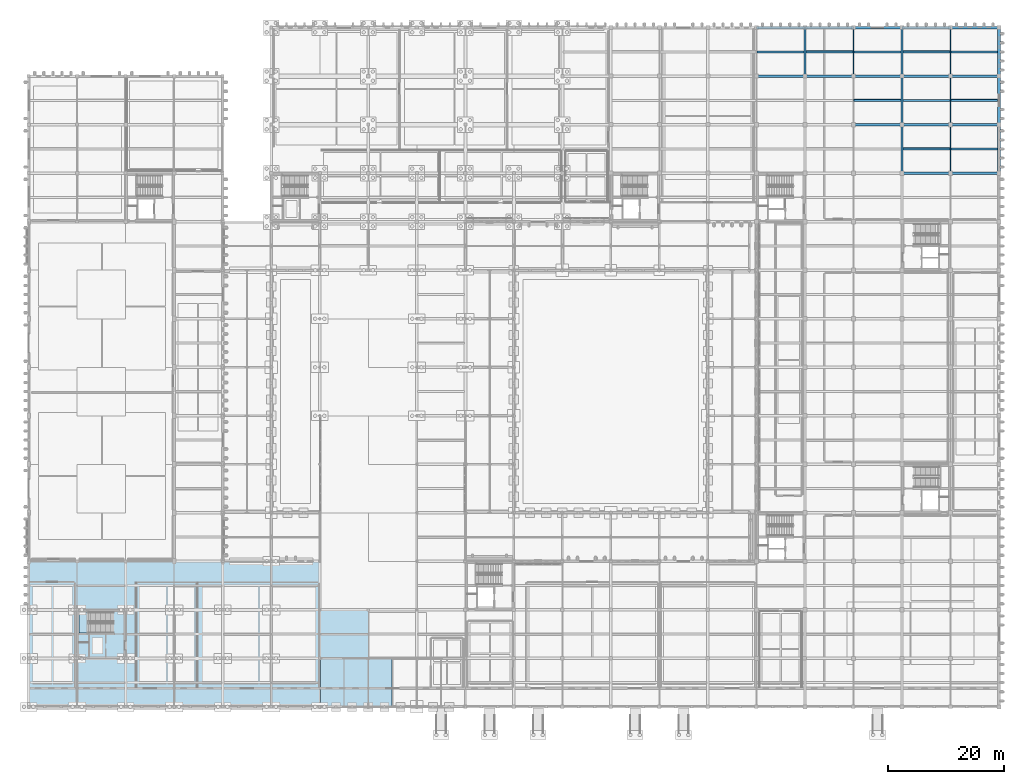
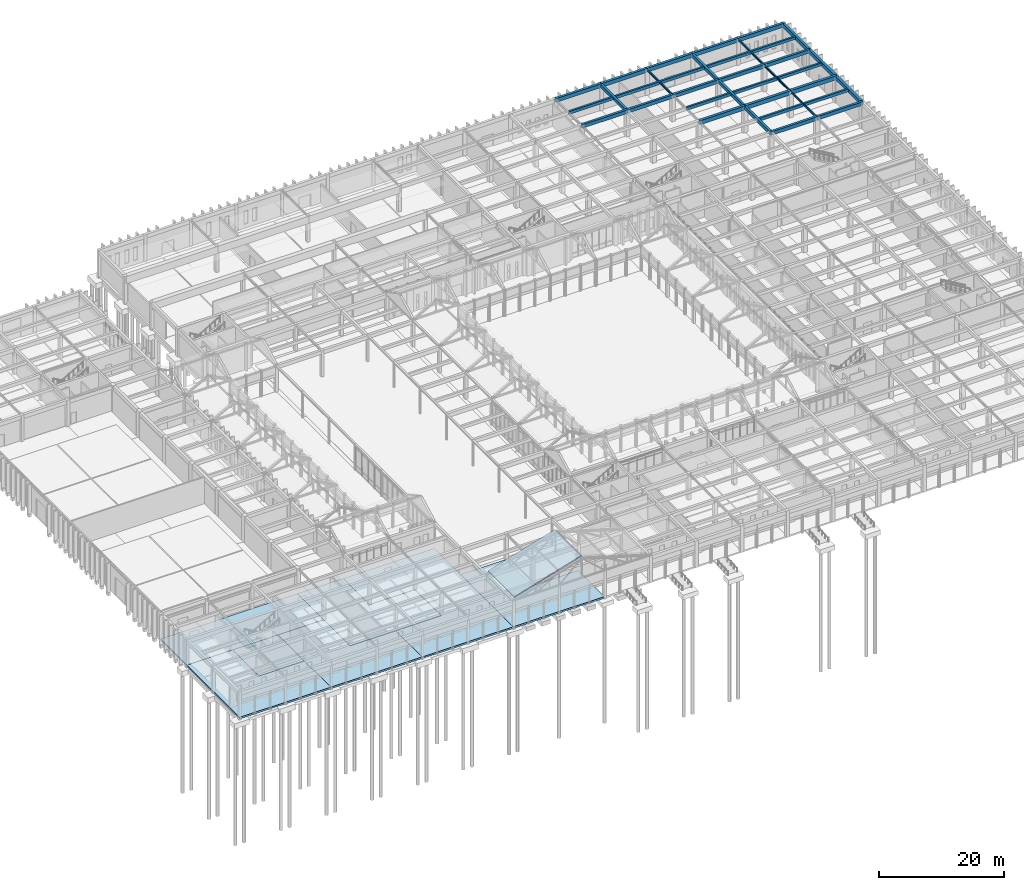
# One storey, part 70 of 143: 36 beams, 9 slabs, 1 element without a shape of its own.
"""IFC4 building model written with IfcOpenShell, lengths in metres."""

from ifc_helpers import new_model, si_unit, direction, frame, origin, origin_2d, place, context, subcontext, project, spatial, polyline, rectangle, i_section, outline, extrude, material, layer, layer_set, material_profile, profile_set, type_object, element, aggregate, save


model = new_model("IFC4")

# Units and contexts
model_context = context("Model", 3, precision=1e-05, world=origin(), true_north=direction((0.0, 1.0)))
body_context = subcontext(model_context, "Body", "Model", "MODEL_VIEW")
ifc_project = project(units=[si_unit("LENGTHUNIT", "METRE"), si_unit("AREAUNIT", "SQUARE_METRE"), si_unit("VOLUMEUNIT", "CUBIC_METRE"), si_unit("PLANEANGLEUNIT", "RADIAN"), si_unit("MASSUNIT", "GRAM", prefix="KILO")], contexts=[model_context])

# Site, building, storey
site_placement = place(None, origin())
site = spatial("IfcSite", under=ifc_project, at=site_placement, CompositionType="ELEMENT")
building_placement = place(site_placement, origin())
building = spatial("IfcBuilding", under=site, at=building_placement, Name="Kveldsbrygga Polytechnic", CompositionType="ELEMENT")
storey_placement = place(building_placement, origin())
storey = spatial("IfcBuildingStorey", under=building, at=storey_placement, Name="L00", CompositionType="ELEMENT", Elevation=0.0)

# Beams
ifc_material_1 = material(Name="Concrete C35/45", Category="concrete")
ifc_material_profile_1 = material_profile(ifc_material_1, rectangle(XDim=0.39990234375, YDim=0.64990234375, at=origin_2d()), Name="RC 400x650")
ifc_profile_set_1 = profile_set([ifc_material_profile_1], Name="Concrete C35/45")
beam_type_1 = type_object("IfcBeamType", Name="BM-RC-400x650", PredefinedType="BEAM", material=ifc_profile_set_1)
for number, where, z_axis, x_axis, name in (
    (1, (134.39990234375, 109.199951171875, 4.81494140625), (0.0, 1.0, 0.0), (-1.0, 0.0, 0.0), "Primary Beam BMY-L00-16-13to14"),
    (2, (151.199951171875, 92.39990234375, 4.81494140625), (0.0, 1.0, 0.0), (-1.0, 0.0, 0.0), "Primary Beam BMY-L00-18-11to12"),
):
    element("IfcBeam", number, at=place(storey_placement, frame(where, z_axis=z_axis, x_axis=x_axis)), inside=storey, type_object=beam_type_1, Name=name, PredefinedType="BEAM", context=body_context, shape_type="SweptSolid", body=[
        extrude(rectangle(XDim=0.39990234375, YDim=0.64990234375, at=origin_2d()), origin(), (0.0, 0.0, 1.0), 8.400146484375),
    ])
beam_1_placement = place(storey_placement, frame((151.199951171875, 100.800048828125, 4.81494140625), z_axis=(0.0, 1.0, 0.0), x_axis=(-1.0, 0.0, 0.0)))
element("IfcBeam", 3, at=beam_1_placement, inside=storey, type_object=beam_type_1, Name="Primary Beam BMY-L00-18-12to13", PredefinedType="BEAM", context=body_context, shape_type="SweptSolid", body=[
    extrude(rectangle(XDim=0.39990234375, YDim=0.64990234375, at=origin_2d()), origin(), (0.0, 0.0, 1.0), 8.39990234375),
])
beam_2_placement = place(storey_placement, frame((151.199951171875, 109.199951171875, 4.81494140625), z_axis=(0.0, 1.0, 0.0), x_axis=(-1.0, 0.0, 0.0)))
element("IfcBeam", 4, at=beam_2_placement, inside=storey, type_object=beam_type_1, Name="Primary Beam BMY-L00-18-13to14", PredefinedType="BEAM", context=body_context, shape_type="SweptSolid", body=[
    extrude(rectangle(XDim=0.39990234375, YDim=0.64990234375, at=origin_2d()), origin(), (0.0, 0.0, 1.0), 8.400146484375),
])
ifc_material_profile_2 = material_profile(ifc_material_1, rectangle(XDim=0.419921875, YDim=0.679931640625, at=origin_2d()), Name="RC 420x680")
ifc_profile_set_2 = profile_set([ifc_material_profile_2], Name="Concrete C35/45")
beam_type_2 = type_object("IfcBeamType", Name="BM-RC-420x680", PredefinedType="BEAM", material=ifc_profile_set_2)
beam_3_placement = place(storey_placement, frame((151.199951171875, 92.39990234375, 4.800048828125), z_axis=(1.0, 0.0, 0.0), x_axis=(0.0, 1.0, 0.0)))
element("IfcBeam", 5, at=beam_3_placement, inside=storey, type_object=beam_type_2, Name="Primary Beam BMX-L00-18to19-11", PredefinedType="BEAM", context=body_context, shape_type="SweptSolid", body=[
    extrude(rectangle(XDim=0.419921875, YDim=0.679931640625, at=origin_2d()), origin(), (0.0, 0.0, 1.0), 8.400146484375),
])
for number, where, z_axis, x_axis, name in (
    (6, (159.60009765625, 92.39990234375, 4.800048828125), (1.0, 0.0, 0.0), (0.0, 1.0, 0.0), "Primary Beam BMX-L00-19to20-11"),
    (7, (126.0, 109.199951171875, 4.800048828125), (1.0, 0.0, 0.0), (0.0, 1.0, 0.0), "Primary Beam BMX-L00-15to16-13"),
):
    element("IfcBeam", number, at=place(storey_placement, frame(where, z_axis=z_axis, x_axis=x_axis)), inside=storey, type_object=beam_type_2, Name=name, PredefinedType="BEAM", context=body_context, shape_type="SweptSolid", body=[
        extrude(rectangle(XDim=0.419921875, YDim=0.679931640625, at=origin_2d()), origin(), (0.0, 0.0, 1.0), 8.39990234375),
    ])
beam_4_placement = place(storey_placement, frame((134.39990234375, 109.199951171875, 4.800048828125), z_axis=(1.0, 0.0, 0.0), x_axis=(0.0, 1.0, 0.0)))
element("IfcBeam", 8, at=beam_4_placement, inside=storey, type_object=beam_type_2, Name="Primary Beam BMX-L00-16to17-13", PredefinedType="BEAM", context=body_context, shape_type="SweptSolid", body=[
    extrude(rectangle(XDim=0.419921875, YDim=0.679931640625, at=origin_2d()), origin(), (0.0, 0.0, 1.0), 8.400146484375),
])
beam_5_placement = place(storey_placement, frame((142.800048828125, 109.199951171875, 4.800048828125), z_axis=(1.0, 0.0, 0.0), x_axis=(0.0, 1.0, 0.0)))
element("IfcBeam", 9, at=beam_5_placement, inside=storey, type_object=beam_type_2, Name="Primary Beam BMX-L00-17to18-13", PredefinedType="BEAM", context=body_context, shape_type="SweptSolid", body=[
    extrude(rectangle(XDim=0.419921875, YDim=0.679931640625, at=origin_2d()), origin(), (0.0, 0.0, 1.0), 8.39990234375),
])
beam_6_placement = place(storey_placement, frame((151.199951171875, 109.199951171875, 4.800048828125), z_axis=(1.0, 0.0, 0.0), x_axis=(0.0, 1.0, 0.0)))
element("IfcBeam", 10, at=beam_6_placement, inside=storey, type_object=beam_type_2, Name="Primary Beam BMX-L00-18to19-13", PredefinedType="BEAM", context=body_context, shape_type="SweptSolid", body=[
    extrude(rectangle(XDim=0.419921875, YDim=0.679931640625, at=origin_2d()), origin(), (0.0, 0.0, 1.0), 8.400146484375),
])
beam_7_placement = place(storey_placement, frame((159.60009765625, 109.199951171875, 4.800048828125), z_axis=(1.0, 0.0, 0.0), x_axis=(0.0, 1.0, 0.0)))
element("IfcBeam", 11, at=beam_7_placement, inside=storey, type_object=beam_type_2, Name="Primary Beam BMX-L00-19to20-13", PredefinedType="BEAM", context=body_context, shape_type="SweptSolid", body=[
    extrude(rectangle(XDim=0.419921875, YDim=0.679931640625, at=origin_2d()), origin(), (0.0, 0.0, 1.0), 8.39990234375),
])
ifc_material_profile_3 = material_profile(ifc_material_1, rectangle(XDim=0.449951171875, YDim=0.75, at=origin_2d()), Name="RC 450x750")
ifc_profile_set_3 = profile_set([ifc_material_profile_3], Name="Concrete C35/45")
beam_type_3 = type_object("IfcBeamType", Name="BM-RC-450x750", PredefinedType="BEAM", material=ifc_profile_set_3)
beam_8_placement = place(storey_placement, frame((168.0, 92.39990234375, 4.764892578125), z_axis=(0.0, 1.0, 0.0), x_axis=(-1.0, 0.0, 0.0)))
element("IfcBeam", 12, at=beam_8_placement, inside=storey, type_object=beam_type_3, Name="Primary Beam BMY-L00-20-11to12", PredefinedType="BEAM", context=body_context, shape_type="SweptSolid", body=[
    extrude(rectangle(XDim=0.449951171875, YDim=0.75, at=origin_2d()), origin(), (0.0, 0.0, 1.0), 8.400146484375),
])
beam_9_placement = place(storey_placement, frame((168.0, 100.800048828125, 4.764892578125), z_axis=(0.0, 1.0, 0.0), x_axis=(-1.0, 0.0, 0.0)))
element("IfcBeam", 13, at=beam_9_placement, inside=storey, type_object=beam_type_3, Name="Primary Beam BMY-L00-20-12to13", PredefinedType="BEAM", context=body_context, shape_type="SweptSolid", body=[
    extrude(rectangle(XDim=0.449951171875, YDim=0.75, at=origin_2d()), origin(), (0.0, 0.0, 1.0), 8.39990234375),
])
beam_10_placement = place(storey_placement, frame((168.0, 109.199951171875, 4.764892578125), z_axis=(0.0, 1.0, 0.0), x_axis=(-1.0, 0.0, 0.0)))
element("IfcBeam", 14, at=beam_10_placement, inside=storey, type_object=beam_type_3, Name="Primary Beam BMY-L00-20-13to14", PredefinedType="BEAM", context=body_context, shape_type="SweptSolid", body=[
    extrude(rectangle(XDim=0.449951171875, YDim=0.75, at=origin_2d()), origin(), (0.0, 0.0, 1.0), 8.400146484375),
])
ifc_material_profile_4 = material_profile(ifc_material_1, rectangle(XDim=0.4599609375, YDim=0.739990234375, at=origin_2d()), Name="RC 460x740")
ifc_profile_set_4 = profile_set([ifc_material_profile_4], Name="Concrete C35/45")
beam_type_4 = type_object("IfcBeamType", Name="BM-RC-460x740", PredefinedType="BEAM", material=ifc_profile_set_4)
beam_11_placement = place(storey_placement, frame((126.0, 117.60009765625, 4.77001953125), z_axis=(1.0, 0.0, 0.0), x_axis=(0.0, 1.0, 0.0)))
element("IfcBeam", 15, at=beam_11_placement, inside=storey, type_object=beam_type_4, Name="Primary Beam BMX-L00-15to16-14", PredefinedType="BEAM", context=body_context, shape_type="SweptSolid", body=[
    extrude(rectangle(XDim=0.4599609375, YDim=0.739990234375, at=origin_2d()), origin(), (0.0, 0.0, 1.0), 8.39990234375),
])
beam_12_placement = place(storey_placement, frame((134.39990234375, 117.60009765625, 4.77001953125), z_axis=(1.0, 0.0, 0.0), x_axis=(0.0, 1.0, 0.0)))
element("IfcBeam", 16, at=beam_12_placement, inside=storey, type_object=beam_type_4, Name="Primary Beam BMX-L00-16to17-14", PredefinedType="BEAM", context=body_context, shape_type="SweptSolid", body=[
    extrude(rectangle(XDim=0.4599609375, YDim=0.739990234375, at=origin_2d()), origin(), (0.0, 0.0, 1.0), 8.400146484375),
])
beam_13_placement = place(storey_placement, frame((142.800048828125, 117.60009765625, 4.77001953125), z_axis=(1.0, 0.0, 0.0), x_axis=(0.0, 1.0, 0.0)))
element("IfcBeam", 17, at=beam_13_placement, inside=storey, type_object=beam_type_4, Name="Primary Beam BMX-L00-17to18-14", PredefinedType="BEAM", context=body_context, shape_type="SweptSolid", body=[
    extrude(rectangle(XDim=0.4599609375, YDim=0.739990234375, at=origin_2d()), origin(), (0.0, 0.0, 1.0), 8.39990234375),
])
beam_14_placement = place(storey_placement, frame((151.199951171875, 117.60009765625, 4.77001953125), z_axis=(1.0, 0.0, 0.0), x_axis=(0.0, 1.0, 0.0)))
element("IfcBeam", 18, at=beam_14_placement, inside=storey, type_object=beam_type_4, Name="Primary Beam BMX-L00-18to19-14", PredefinedType="BEAM", context=body_context, shape_type="SweptSolid", body=[
    extrude(rectangle(XDim=0.4599609375, YDim=0.739990234375, at=origin_2d()), origin(), (0.0, 0.0, 1.0), 8.400146484375),
])
beam_15_placement = place(storey_placement, frame((159.60009765625, 117.60009765625, 4.77001953125), z_axis=(1.0, 0.0, 0.0), x_axis=(0.0, 1.0, 0.0)))
element("IfcBeam", 19, at=beam_15_placement, inside=storey, type_object=beam_type_4, Name="Primary Beam BMX-L00-19to20-14", PredefinedType="BEAM", context=body_context, shape_type="SweptSolid", body=[
    extrude(rectangle(XDim=0.4599609375, YDim=0.739990234375, at=origin_2d()), origin(), (0.0, 0.0, 1.0), 8.39990234375),
])
ifc_material_profile_5 = material_profile(ifc_material_1, rectangle(XDim=0.47998046875, YDim=0.780029296875, at=origin_2d()), Name="RC 480x780")
ifc_profile_set_5 = profile_set([ifc_material_profile_5], Name="Concrete C35/45")
beam_type_5 = type_object("IfcBeamType", Name="BM-RC-480x780", PredefinedType="BEAM", material=ifc_profile_set_5)
beam_16_placement = place(storey_placement, frame((142.800048828125, 100.800048828125, 4.75), z_axis=(1.0, 0.0, 0.0), x_axis=(0.0, 1.0, 0.0)))
element("IfcBeam", 20, at=beam_16_placement, inside=storey, type_object=beam_type_5, Name="Primary Beam BMX-L00-17to18-12", PredefinedType="BEAM", context=body_context, shape_type="SweptSolid", body=[
    extrude(rectangle(XDim=0.47998046875, YDim=0.780029296875, at=origin_2d()), origin(), (0.0, 0.0, 1.0), 8.39990234375),
])
beam_17_placement = place(storey_placement, frame((151.199951171875, 100.800048828125, 4.75), z_axis=(1.0, 0.0, 0.0), x_axis=(0.0, 1.0, 0.0)))
element("IfcBeam", 21, at=beam_17_placement, inside=storey, type_object=beam_type_5, Name="Primary Beam BMX-L00-18to19-12", PredefinedType="BEAM", context=body_context, shape_type="SweptSolid", body=[
    extrude(rectangle(XDim=0.47998046875, YDim=0.780029296875, at=origin_2d()), origin(), (0.0, 0.0, 1.0), 8.400146484375),
])
beam_18_placement = place(storey_placement, frame((159.60009765625, 100.800048828125, 4.75), z_axis=(1.0, 0.0, 0.0), x_axis=(0.0, 1.0, 0.0)))
element("IfcBeam", 22, at=beam_18_placement, inside=storey, type_object=beam_type_5, Name="Primary Beam BMX-L00-19to20-12", PredefinedType="BEAM", context=body_context, shape_type="SweptSolid", body=[
    extrude(rectangle(XDim=0.47998046875, YDim=0.780029296875, at=origin_2d()), origin(), (0.0, 0.0, 1.0), 8.39990234375),
])
ifc_material_2 = material(Name="Steel S355", Category="steel")
ifc_material_profile_6 = material_profile(ifc_material_2, i_section(OverallWidth=0.179931640625, OverallDepth=0.39990234375, WebThickness=0.008544921875, FlangeThickness=0.013427734375, FilletRadius=0.02099609375, at=origin_2d()), Name="IPE 400")
ifc_profile_set_6 = profile_set([ifc_material_profile_6], Name="Steel S355")
beam_type_6 = type_object("IfcBeamType", Name="BM-STL-IPE400", PredefinedType="BEAM", material=ifc_profile_set_6)
for number, where, z_axis, x_axis, name in (
    (23, (142.800048828125, 109.199951171875, 4.93994140625), (0.0, 1.0, 0.0), (-1.0, 0.0, 0.0), "Primary Beam BMY-L00-17-13to14"),
    (24, (159.60009765625, 92.39990234375, 4.93994140625), (0.0, 1.0, 0.0), (-1.0, 0.0, 0.0), "Primary Beam BMY-L00-19-11to12"),
):
    element("IfcBeam", number, at=place(storey_placement, frame(where, z_axis=z_axis, x_axis=x_axis)), inside=storey, type_object=beam_type_6, Name=name, PredefinedType="BEAM", context=body_context, shape_type="SweptSolid", body=[
        extrude(i_section(OverallWidth=0.179931640625, OverallDepth=0.39990234375, WebThickness=0.008544921875, FlangeThickness=0.013427734375, FilletRadius=0.02099609375, at=origin_2d()), origin(), (0.0, 0.0, 1.0), 8.400146484375),
    ])
beam_19_placement = place(storey_placement, frame((159.60009765625, 100.800048828125, 4.93994140625), z_axis=(0.0, 1.0, 0.0), x_axis=(-1.0, 0.0, 0.0)))
element("IfcBeam", 25, at=beam_19_placement, inside=storey, type_object=beam_type_6, Name="Primary Beam BMY-L00-19-12to13", PredefinedType="BEAM", context=body_context, shape_type="SweptSolid", body=[
    extrude(i_section(OverallWidth=0.179931640625, OverallDepth=0.39990234375, WebThickness=0.008544921875, FlangeThickness=0.013427734375, FilletRadius=0.02099609375, at=origin_2d()), origin(), (0.0, 0.0, 1.0), 8.39990234375),
])
beam_20_placement = place(storey_placement, frame((159.60009765625, 109.199951171875, 4.93994140625), z_axis=(0.0, 1.0, 0.0), x_axis=(-1.0, 0.0, 0.0)))
element("IfcBeam", 26, at=beam_20_placement, inside=storey, type_object=beam_type_6, Name="Primary Beam BMY-L00-19-13to14", PredefinedType="BEAM", context=body_context, shape_type="SweptSolid", body=[
    extrude(i_section(OverallWidth=0.179931640625, OverallDepth=0.39990234375, WebThickness=0.008544921875, FlangeThickness=0.013427734375, FilletRadius=0.02099609375, at=origin_2d()), origin(), (0.0, 0.0, 1.0), 8.400146484375),
])
ifc_material_profile_7 = material_profile(ifc_material_1, rectangle(XDim=0.340087890625, YDim=0.56005859375, at=origin_2d()), Name="RC 340x560")
ifc_profile_set_7 = profile_set([ifc_material_profile_7], Name="Concrete C35/45")
beam_type_7 = type_object("IfcBeamType", Name="JST-RC-340x560", PredefinedType="JOIST", material=ifc_profile_set_7)
beam_21_placement = place(storey_placement, frame((134.60009765625, 113.39990234375, 4.860107421875), z_axis=(1.0, 0.0, 0.0), x_axis=(0.0, 1.0, 0.0)))
element("IfcBeam", 27, at=beam_21_placement, inside=storey, type_object=beam_type_7, Name="Secondary Joist JST-L00-16-13", PredefinedType="JOIST", context=body_context, shape_type="SweptSolid", body=[
    extrude(rectangle(XDim=0.340087890625, YDim=0.56005859375, at=origin_2d()), origin(), (0.0, 0.0, 1.0), 8.10986328125),
])
for number, where, z_axis, x_axis, name in (
    (28, (142.889892578125, 105.0, 4.860107421875), (1.0, 0.0, 0.0), (0.0, 1.0, 0.0), "Secondary Joist JST-L00-17-12"),
    (29, (151.39990234375, 96.60009765625, 4.860107421875), (1.0, 0.0, 0.0), (0.0, 1.0, 0.0), "Secondary Joist JST-L00-18-11"),
    (30, (151.39990234375, 113.39990234375, 4.860107421875), (1.0, 0.0, 0.0), (0.0, 1.0, 0.0), "Secondary Joist JST-L00-18-13"),
):
    element("IfcBeam", number, at=place(storey_placement, frame(where, z_axis=z_axis, x_axis=x_axis)), inside=storey, type_object=beam_type_7, Name=name, PredefinedType="JOIST", context=body_context, shape_type="SweptSolid", body=[
        extrude(rectangle(XDim=0.340087890625, YDim=0.56005859375, at=origin_2d()), origin(), (0.0, 0.0, 1.0), 8.110107421875),
    ])
beam_22_placement = place(storey_placement, frame((159.68994140625, 105.0, 4.860107421875), z_axis=(1.0, 0.0, 0.0), x_axis=(0.0, 1.0, 0.0)))
element("IfcBeam", 31, at=beam_22_placement, inside=storey, type_object=beam_type_7, Name="Secondary Joist JST-L00-19-12", PredefinedType="JOIST", context=body_context, shape_type="SweptSolid", body=[
    extrude(rectangle(XDim=0.340087890625, YDim=0.56005859375, at=origin_2d()), origin(), (0.0, 0.0, 1.0), 8.0849609375),
])
ifc_material_profile_8 = material_profile(ifc_material_1, rectangle(XDim=0.35009765625, YDim=0.550048828125, at=origin_2d()), Name="RC 350x550")
ifc_profile_set_8 = profile_set([ifc_material_profile_8], Name="Concrete C35/45")
beam_type_8 = type_object("IfcBeamType", Name="JST-RC-350x550", PredefinedType="JOIST", material=ifc_profile_set_8)
beam_23_placement = place(storey_placement, frame((126.090087890625, 113.39990234375, 4.864990234375), z_axis=(1.0, 0.0, 0.0), x_axis=(0.0, 1.0, 0.0)))
element("IfcBeam", 32, at=beam_23_placement, inside=storey, type_object=beam_type_8, Name="Secondary Joist JST-L00-15-13", PredefinedType="JOIST", context=body_context, shape_type="SweptSolid", body=[
    extrude(rectangle(XDim=0.35009765625, YDim=0.550048828125, at=origin_2d()), origin(), (0.0, 0.0, 1.0), 8.10986328125),
])
for number, where, z_axis, x_axis, name in (
    (33, (142.889892578125, 113.39990234375, 4.864990234375), (1.0, 0.0, 0.0), (0.0, 1.0, 0.0), "Secondary Joist JST-L00-17-13"),
    (34, (151.39990234375, 105.0, 4.864990234375), (1.0, 0.0, 0.0), (0.0, 1.0, 0.0), "Secondary Joist JST-L00-18-12"),
):
    element("IfcBeam", number, at=place(storey_placement, frame(where, z_axis=z_axis, x_axis=x_axis)), inside=storey, type_object=beam_type_8, Name=name, PredefinedType="JOIST", context=body_context, shape_type="SweptSolid", body=[
        extrude(rectangle(XDim=0.35009765625, YDim=0.550048828125, at=origin_2d()), origin(), (0.0, 0.0, 1.0), 8.110107421875),
    ])
for number, where, z_axis, x_axis, name in (
    (35, (159.68994140625, 96.60009765625, 4.864990234375), (1.0, 0.0, 0.0), (0.0, 1.0, 0.0), "Secondary Joist JST-L00-19-11"),
    (36, (159.68994140625, 113.39990234375, 4.864990234375), (1.0, 0.0, 0.0), (0.0, 1.0, 0.0), "Secondary Joist JST-L00-19-13"),
):
    element("IfcBeam", number, at=place(storey_placement, frame(where, z_axis=z_axis, x_axis=x_axis)), inside=storey, type_object=beam_type_8, Name=name, PredefinedType="JOIST", context=body_context, shape_type="SweptSolid", body=[
        extrude(rectangle(XDim=0.35009765625, YDim=0.550048828125, at=origin_2d()), origin(), (0.0, 0.0, 1.0), 8.0849609375),
    ])

# Slabs
ifc_layer_1 = layer(ifc_material_1, 0.52001953125)
ifc_layer_set_1 = layer_set([ifc_layer_1], Name="Concrete C35/45")
slab_type_1 = type_object("IfcSlabType", Name="SLB-CORE-520", PredefinedType="BASESLAB", material=ifc_layer_set_1)
slab_1_placement = place(storey_placement, frame((0.0, 0.0, -0.52001953125)))
element("IfcSlab", 37, at=slab_1_placement, inside=storey, type_object=slab_type_1, Name="Core C9 Transfer Mat Slab SLB-L00-C9-MAT", PredefinedType="BASESLAB", context=body_context, shape_type="SweptSolid", body=[
    extrude(outline(polyline([(8.39990234375, 8.39990234375), (16.800048828125, 8.39990234375), (16.800048828125, 16.800048828125), (8.39990234375, 16.800048828125), (8.39990234375, 8.39990234375)])), origin(), (0.0, 0.0, 1.0), 0.52001953125),
])
ifc_layer_2 = layer(ifc_material_1, 0.320068359375)
ifc_layer_set_2 = layer_set([ifc_layer_2], Name="Concrete C35/45")
slab_type_2 = type_object("IfcSlabType", Name="SLB-GND-320", PredefinedType="FLOOR", material=ifc_layer_set_2)
slab_2_placement = place(storey_placement, frame((0.0, 0.0, -0.320068359375)))
element("IfcSlab", 38, at=slab_2_placement, inside=storey, type_object=slab_type_2, Name="Slab SLB-L00-V5-CONC-L01-1", PredefinedType="FLOOR", context=body_context, shape_type="SweptSolid", body=[
    extrude(outline(polyline([(50.39990234375, 0.0), (50.39990234375, 8.39990234375), (50.39990234375, 16.800048828125), (58.800048828125, 16.800048828125), (58.800048828125, 8.39990234375), (67.199951171875, 8.39990234375), (67.199951171875, 0.0), (58.800048828125, 0.0), (50.39990234375, 0.0)])), origin(), (0.0, 0.0, 1.0), 0.320068359375),
])
slab_3_placement = place(storey_placement, frame((0.0, 0.0, -0.320068359375)))
element("IfcSlab", 39, at=slab_3_placement, inside=storey, type_object=slab_type_2, Name="Slab SLB-L00-V5-SW-L01-1", PredefinedType="FLOOR", context=body_context, shape_type="SweptSolid", body=[
    extrude(outline(polyline([(0.0, 0.0), (0.0, 8.39990234375), (0.0, 16.800048828125), (8.39990234375, 16.800048828125), (8.39990234375, 8.39990234375), (16.800048828125, 8.39990234375), (16.800048828125, 0.0), (8.39990234375, 0.0), (0.0, 0.0)])), origin(), (0.0, 0.0, 1.0), 0.320068359375),
])
slab_4_placement = place(storey_placement, frame((0.0, 0.0, -0.320068359375)))
element("IfcSlab", 40, at=slab_4_placement, inside=storey, type_object=slab_type_2, Name="Slab SLB-L00-V5-SW-L02-1", PredefinedType="FLOOR", context=body_context, shape_type="SweptSolid", body=[
    extrude(outline(polyline([(16.800048828125, 0.0), (16.800048828125, 8.39990234375), (16.800048828125, 16.800048828125), (25.199951171875, 16.800048828125), (25.199951171875, 8.39990234375), (33.60009765625, 8.39990234375), (33.60009765625, 0.0), (25.199951171875, 0.0), (16.800048828125, 0.0)])), origin(), (0.0, 0.0, 1.0), 0.320068359375),
])
slab_5_placement = place(storey_placement, frame((0.0, 0.0, -0.320068359375)))
element("IfcSlab", 41, at=slab_5_placement, inside=storey, type_object=slab_type_2, Name="Slab SLB-L00-V5-SW-L03-1", PredefinedType="FLOOR", context=body_context, shape_type="SweptSolid", body=[
    extrude(outline(polyline([(25.199951171875, 8.39990234375), (25.199951171875, 16.800048828125), (25.199951171875, 25.199951171875), (33.60009765625, 25.199951171875), (33.60009765625, 16.800048828125), (42.0, 16.800048828125), (42.0, 8.39990234375), (33.60009765625, 8.39990234375), (25.199951171875, 8.39990234375)])), origin(), (0.0, 0.0, 1.0), 0.320068359375),
])
slab_6_placement = place(storey_placement, frame((0.0, 0.0, -0.320068359375)))
element("IfcSlab", 42, at=slab_6_placement, inside=storey, type_object=slab_type_2, Name="Slab SLB-L00-V5-SW-Z1-1", PredefinedType="FLOOR", context=body_context, shape_type="SweptSolid", body=[
    extrude(outline(polyline([(42.0, 8.39990234375), (42.0, 16.800048828125), (33.60009765625, 16.800048828125), (33.60009765625, 25.199951171875), (42.0, 25.199951171875), (50.39990234375, 25.199951171875), (50.39990234375, 16.800048828125), (50.39990234375, 8.39990234375), (50.39990234375, 0.0), (42.0, 0.0), (33.60009765625, 0.0), (33.60009765625, 8.39990234375), (42.0, 8.39990234375)])), origin(), (0.0, 0.0, 1.0), 0.320068359375),
])
slab_7_placement = place(storey_placement, frame((0.0, 0.0, -0.320068359375)))
element("IfcSlab", 43, at=slab_7_placement, inside=storey, type_object=slab_type_2, Name="Slab SLB-L00-V5-SW-Z1-2", PredefinedType="FLOOR", context=body_context, shape_type="SweptSolid", body=[
    extrude(outline(polyline([(8.39990234375, 25.199951171875), (16.800048828125, 25.199951171875), (25.199951171875, 25.199951171875), (25.199951171875, 16.800048828125), (16.800048828125, 16.800048828125), (8.39990234375, 16.800048828125), (0.0, 16.800048828125), (0.0, 25.199951171875), (8.39990234375, 25.199951171875)])), origin(), (0.0, 0.0, 1.0), 0.320068359375),
])

# Stair, slab
stair_type = type_object("IfcStairType", Name="STR-CORE-544", PredefinedType="HALF_TURN_STAIR", material=ifc_material_1)
stair_placement = place(storey_placement, origin())
stair = element("IfcStair", 44, at=stair_placement, inside=storey, type_object=stair_type, Name="L00 Core C9 Escape Stair ST-9", PredefinedType="HALF_TURN_STAIR")
ifc_layer_3 = layer(ifc_material_1, 0.199951171875)
ifc_layer_set_3 = layer_set([ifc_layer_3], Name="Concrete C35/45")
slab_type_3 = type_object("IfcSlabType", Name="SLB-LANDING-200", PredefinedType="LANDING", material=ifc_layer_set_3)
slab_8_placement = place(storey_placement, frame((0.0, 0.0, 2.52001953125)))
slab_8 = element("IfcSlab", 45, at=slab_8_placement, type_object=slab_type_3, Name="ST-9 landing 1", PredefinedType="LANDING", context=body_context, shape_type="SweptSolid", body=[
    extrude(outline(polyline([(10.39990234375, 16.39990234375), (8.699951171875, 16.39990234375), (8.699951171875, 12.800048828125), (10.39990234375, 12.800048828125), (10.39990234375, 16.39990234375)])), origin(), (0.0, 0.0, 1.0), 0.199951171875),
])
aggregate(stair, [slab_8])

# Slab
ifc_layer_4 = layer(ifc_material_1, 0.219970703125)
ifc_layer_set_4 = layer_set([ifc_layer_4], Name="Concrete C35/45")
slab_type_4 = type_object("IfcSlabType", Name="SLB-ROOF-220", PredefinedType="ROOF", material=ifc_layer_set_4)
slab_9_placement = place(storey_placement, frame((50.56005859375, 0.0, 5.76806640625), z_axis=(-0.28874289644, 0.0, 0.957406674175), x_axis=(0.957406674175, 0.0, 0.28874289644)))
element("IfcSlab", 46, at=slab_9_placement, inside=storey, type_object=slab_type_4, Name="Pitched Roof Slab V5P-RSLB-1-1", PredefinedType="ROOF", context=body_context, shape_type="SweptSolid", body=[
    extrude(outline(polyline([(0.0, 0.0), (12.906161661284484, 0.0), (12.906161661284484, 8.39990234375), (0.0, 8.39990234375), (0.0, 0.0)])), origin(), (0.0, 0.0, -1.0), 0.219970703125),
])

save(model, "model.ifc")
